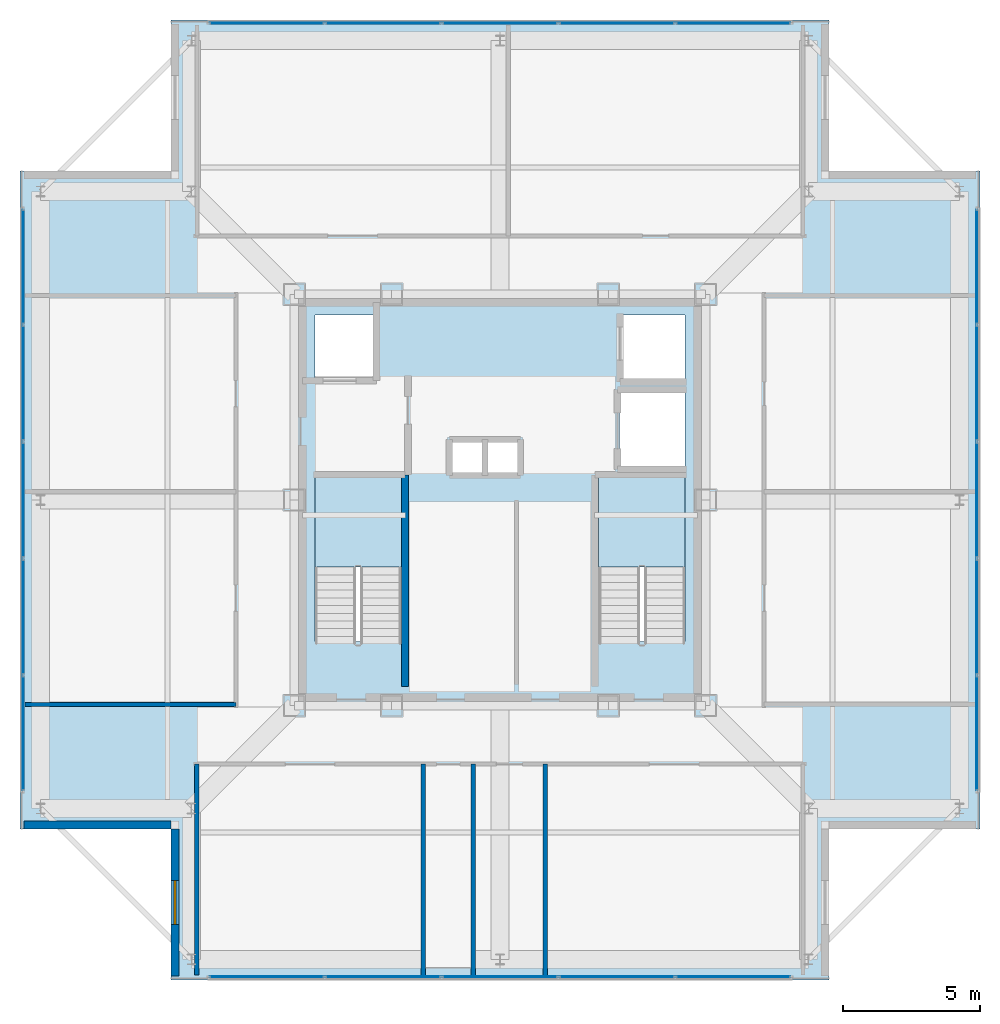
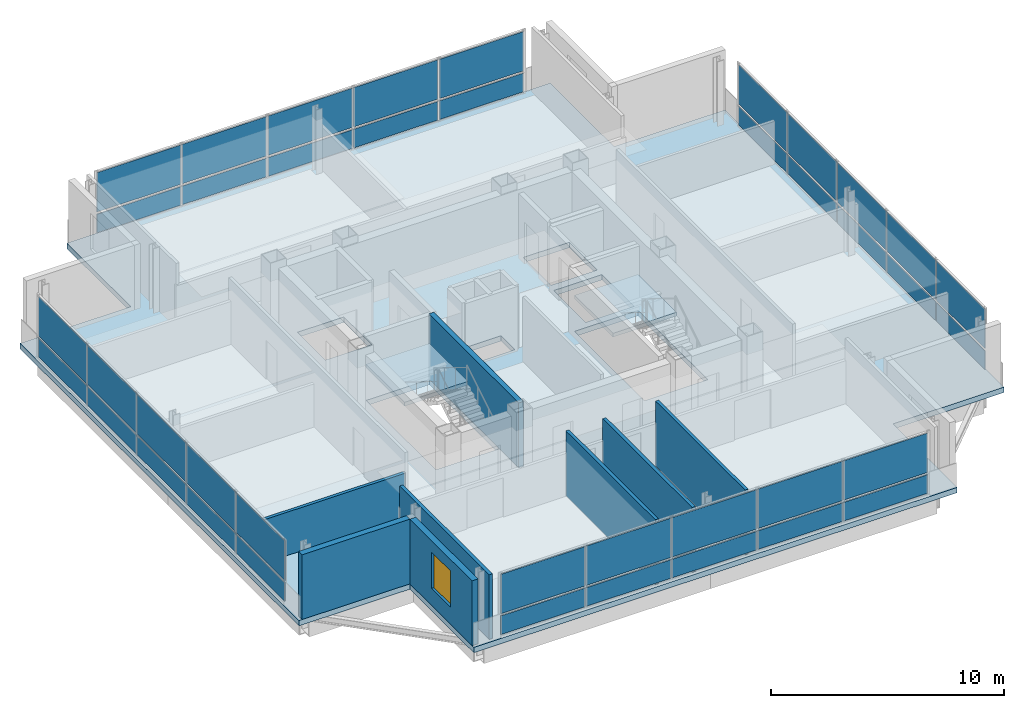
# One storey, part 8 of 12: 40 plates, 8 walls, 3 slabs, 1 window, 1 opening, 6 elements without a shape of their own.
"""IFC4 building model written with IfcOpenShell, lengths in metres."""

from ifc_helpers import new_model, si_unit, direction, frame, frame_2d, origin, origin_2d, place, context, subcontext, project, spatial, polyline, rectangle, outline, extrude, material, layer, layer_set, type_object, element, fill, aggregate, save


model = new_model("IFC4")

# Units and contexts
model_context = context("Model", 3, precision=1e-05, world=origin(), true_north=direction((0.0, 1.0)))
body_context = subcontext(model_context, "Body", "Model", "MODEL_VIEW")
ifc_project = project(units=[si_unit("LENGTHUNIT", "METRE"), si_unit("AREAUNIT", "SQUARE_METRE"), si_unit("VOLUMEUNIT", "CUBIC_METRE"), si_unit("PLANEANGLEUNIT", "RADIAN"), si_unit("MASSUNIT", "GRAM", prefix="KILO")], contexts=[model_context])

# Site, building, storey
site_placement = place(None, origin())
site = spatial("IfcSite", under=ifc_project, at=site_placement, CompositionType="ELEMENT")
building_placement = place(site_placement, origin())
building = spatial("IfcBuilding", under=site, at=building_placement, Name="Trevonay Congress Spire", CompositionType="ELEMENT")
storey_placement = place(building_placement, frame((0.0, 0.0, 304.60009765625)))
storey = spatial("IfcBuildingStorey", under=building, at=storey_placement, Name="L80", CompositionType="ELEMENT", Elevation=304.60009765625)

# Curtain wall, plates
ifc_material_1 = material(Name="Pale Anodised Aluminium EN AW-6063-T6", Category="aluminium")
ifc_layer_1 = layer(ifc_material_1, 0.159912109375, Name="Pale Anodised Aluminium EN AW-6063-T6")
ifc_layer_set_1 = layer_set([ifc_layer_1], Name="Pale Anodised Aluminium EN AW-6063-T6")
curtain_wall_type = type_object("IfcCurtainWallType", Name="CW-SYS06-CROWN-PALE-METAL", PredefinedType="NOTDEFINED", material=ifc_layer_set_1)
curtain_wall_1_placement = place(storey_placement, origin())
curtain_wall_1 = element("IfcCurtainWall", 1, at=curtain_wall_1_placement, inside=storey, type_object=curtain_wall_type, Name="L80 S unitised curtain wall", PredefinedType="NOTDEFINED")
ifc_material_2 = material(Name="Insulated Low-E Vision Glass IGU", Category="glass")
ifc_layer_2 = layer(ifc_material_2, 0.035888671875, Name="Insulated Low-E Vision Glass IGU")
ifc_layer_set_2 = layer_set([ifc_layer_2], Name="Insulated Low-E Vision Glass IGU")
plate_type = type_object("IfcPlateType", Name="CW-PANEL-IGU36-SILVER", PredefinedType="CURTAIN_PANEL", material=ifc_layer_set_2)
plate_1_placement = place(storey_placement, frame((-8.5048828125, -17.3798828125, 0.119873046875), z_axis=(0.0, 0.0, 1.0), x_axis=(1.0, 0.0, 0.0)))
plate_1 = element("IfcPlate", 2, at=plate_1_placement, type_object=plate_type, Name="CW06 panel 1.1", PredefinedType="CURTAIN_PANEL", context=body_context, shape_type="SweptSolid", body=[
    extrude(rectangle(XDim=4.169921875, YDim=0.035888671875, at=origin_2d()), origin(), (0.0, 0.0, 1.0), 0.97607421875),
])
plate_2_placement = place(storey_placement, frame((-8.5048828125, -17.3798828125, 1.2158203125), z_axis=(0.0, 0.0, 1.0), x_axis=(1.0, 0.0, 0.0)))
plate_2 = element("IfcPlate", 3, at=plate_2_placement, type_object=plate_type, Name="CW06 panel 1.2", PredefinedType="CURTAIN_PANEL", context=body_context, shape_type="SweptSolid", body=[
    extrude(rectangle(XDim=4.169921875, YDim=0.035888671875, at=origin_2d()), origin(), (0.0, 0.0, 1.0), 2.06396484375),
])
plate_3_placement = place(storey_placement, frame((-4.260009765625, -17.3798828125, 0.119873046875), z_axis=(0.0, 0.0, 1.0), x_axis=(1.0, 0.0, 0.0)))
plate_3 = element("IfcPlate", 4, at=plate_3_placement, type_object=plate_type, Name="CW06 panel 2.1", PredefinedType="CURTAIN_PANEL", context=body_context, shape_type="SweptSolid", body=[
    extrude(rectangle(XDim=4.199951171875, YDim=0.035888671875, at=origin_2d()), origin(), (0.0, 0.0, 1.0), 0.97607421875),
])
plate_4_placement = place(storey_placement, frame((-4.260009765625, -17.3798828125, 1.2158203125), z_axis=(0.0, 0.0, 1.0), x_axis=(1.0, 0.0, 0.0)))
plate_4 = element("IfcPlate", 5, at=plate_4_placement, type_object=plate_type, Name="CW06 panel 2.2", PredefinedType="CURTAIN_PANEL", context=body_context, shape_type="SweptSolid", body=[
    extrude(rectangle(XDim=4.199951171875, YDim=0.035888671875, at=origin_2d()), origin(), (0.0, 0.0, 1.0), 2.06396484375),
])
plate_5_placement = place(storey_placement, frame((0.0, -17.3798828125, 0.119873046875), z_axis=(0.0, 0.0, 1.0), x_axis=(1.0, 0.0, 0.0)))
plate_5 = element("IfcPlate", 6, at=plate_5_placement, type_object=plate_type, Name="CW06 panel 3.1", PredefinedType="CURTAIN_PANEL", context=body_context, shape_type="SweptSolid", body=[
    extrude(rectangle(XDim=4.199951171875, YDim=0.035888671875, at=origin_2d()), origin(), (0.0, 0.0, 1.0), 0.97607421875),
])
plate_6_placement = place(storey_placement, frame((0.0, -17.3798828125, 1.2158203125), z_axis=(0.0, 0.0, 1.0), x_axis=(1.0, 0.0, 0.0)))
plate_6 = element("IfcPlate", 7, at=plate_6_placement, type_object=plate_type, Name="CW06 panel 3.2", PredefinedType="CURTAIN_PANEL", context=body_context, shape_type="SweptSolid", body=[
    extrude(rectangle(XDim=4.199951171875, YDim=0.035888671875, at=origin_2d()), origin(), (0.0, 0.0, 1.0), 2.06396484375),
])
plate_7_placement = place(storey_placement, frame((4.260009765625, -17.3798828125, 0.119873046875), z_axis=(0.0, 0.0, 1.0), x_axis=(1.0, 0.0, 0.0)))
plate_7 = element("IfcPlate", 8, at=plate_7_placement, type_object=plate_type, Name="CW06 panel 4.1", PredefinedType="CURTAIN_PANEL", context=body_context, shape_type="SweptSolid", body=[
    extrude(rectangle(XDim=4.199951171875, YDim=0.035888671875, at=origin_2d()), origin(), (0.0, 0.0, 1.0), 0.97607421875),
])
plate_8_placement = place(storey_placement, frame((4.260009765625, -17.3798828125, 1.2158203125), z_axis=(0.0, 0.0, 1.0), x_axis=(1.0, 0.0, 0.0)))
plate_8 = element("IfcPlate", 9, at=plate_8_placement, type_object=plate_type, Name="CW06 panel 4.2", PredefinedType="CURTAIN_PANEL", context=body_context, shape_type="SweptSolid", body=[
    extrude(rectangle(XDim=4.199951171875, YDim=0.035888671875, at=origin_2d()), origin(), (0.0, 0.0, 1.0), 2.06396484375),
])
plate_9_placement = place(storey_placement, frame((8.5048828125, -17.3798828125, 0.119873046875), z_axis=(0.0, 0.0, 1.0), x_axis=(1.0, 0.0, 0.0)))
plate_9 = element("IfcPlate", 10, at=plate_9_placement, type_object=plate_type, Name="CW06 panel 5.1", PredefinedType="CURTAIN_PANEL", context=body_context, shape_type="SweptSolid", body=[
    extrude(rectangle(XDim=4.169921875, YDim=0.035888671875, at=origin_2d()), origin(), (0.0, 0.0, 1.0), 0.97607421875),
])
plate_10_placement = place(storey_placement, frame((8.5048828125, -17.3798828125, 1.2158203125), z_axis=(0.0, 0.0, 1.0), x_axis=(1.0, 0.0, 0.0)))
plate_10 = element("IfcPlate", 11, at=plate_10_placement, type_object=plate_type, Name="CW06 panel 5.2", PredefinedType="CURTAIN_PANEL", context=body_context, shape_type="SweptSolid", body=[
    extrude(rectangle(XDim=4.169921875, YDim=0.035888671875, at=origin_2d()), origin(), (0.0, 0.0, 1.0), 2.06396484375),
])
aggregate(curtain_wall_1, [plate_1, plate_2, plate_3, plate_4, plate_5, plate_6, plate_7, plate_8, plate_9, plate_10])

curtain_wall_2_placement = place(storey_placement, origin())
curtain_wall_2 = element("IfcCurtainWall", 12, at=curtain_wall_2_placement, inside=storey, type_object=curtain_wall_type, Name="L80 N unitised curtain wall", PredefinedType="NOTDEFINED")
plate_11_placement = place(storey_placement, frame((-8.5048828125, 17.3798828125, 0.119873046875), z_axis=(0.0, 0.0, 1.0), x_axis=(1.0, 0.0, 0.0)))
plate_11 = element("IfcPlate", 13, at=plate_11_placement, type_object=plate_type, Name="CW06 panel 1.1", PredefinedType="CURTAIN_PANEL", context=body_context, shape_type="SweptSolid", body=[
    extrude(rectangle(XDim=4.169921875, YDim=0.035888671875, at=origin_2d()), origin(), (0.0, 0.0, 1.0), 0.97607421875),
])
plate_12_placement = place(storey_placement, frame((-8.5048828125, 17.3798828125, 1.2158203125), z_axis=(0.0, 0.0, 1.0), x_axis=(1.0, 0.0, 0.0)))
plate_12 = element("IfcPlate", 14, at=plate_12_placement, type_object=plate_type, Name="CW06 panel 1.2", PredefinedType="CURTAIN_PANEL", context=body_context, shape_type="SweptSolid", body=[
    extrude(rectangle(XDim=4.169921875, YDim=0.035888671875, at=origin_2d()), origin(), (0.0, 0.0, 1.0), 2.06396484375),
])
plate_13_placement = place(storey_placement, frame((-4.260009765625, 17.3798828125, 0.119873046875), z_axis=(0.0, 0.0, 1.0), x_axis=(1.0, 0.0, 0.0)))
plate_13 = element("IfcPlate", 15, at=plate_13_placement, type_object=plate_type, Name="CW06 panel 2.1", PredefinedType="CURTAIN_PANEL", context=body_context, shape_type="SweptSolid", body=[
    extrude(rectangle(XDim=4.199951171875, YDim=0.035888671875, at=origin_2d()), origin(), (0.0, 0.0, 1.0), 0.97607421875),
])
plate_14_placement = place(storey_placement, frame((-4.260009765625, 17.3798828125, 1.2158203125), z_axis=(0.0, 0.0, 1.0), x_axis=(1.0, 0.0, 0.0)))
plate_14 = element("IfcPlate", 16, at=plate_14_placement, type_object=plate_type, Name="CW06 panel 2.2", PredefinedType="CURTAIN_PANEL", context=body_context, shape_type="SweptSolid", body=[
    extrude(rectangle(XDim=4.199951171875, YDim=0.035888671875, at=origin_2d()), origin(), (0.0, 0.0, 1.0), 2.06396484375),
])
plate_15_placement = place(storey_placement, frame((0.0, 17.3798828125, 0.119873046875), z_axis=(0.0, 0.0, 1.0), x_axis=(1.0, 0.0, 0.0)))
plate_15 = element("IfcPlate", 17, at=plate_15_placement, type_object=plate_type, Name="CW06 panel 3.1", PredefinedType="CURTAIN_PANEL", context=body_context, shape_type="SweptSolid", body=[
    extrude(rectangle(XDim=4.199951171875, YDim=0.035888671875, at=origin_2d()), origin(), (0.0, 0.0, 1.0), 0.97607421875),
])
plate_16_placement = place(storey_placement, frame((0.0, 17.3798828125, 1.2158203125), z_axis=(0.0, 0.0, 1.0), x_axis=(1.0, 0.0, 0.0)))
plate_16 = element("IfcPlate", 18, at=plate_16_placement, type_object=plate_type, Name="CW06 panel 3.2", PredefinedType="CURTAIN_PANEL", context=body_context, shape_type="SweptSolid", body=[
    extrude(rectangle(XDim=4.199951171875, YDim=0.035888671875, at=origin_2d()), origin(), (0.0, 0.0, 1.0), 2.06396484375),
])
plate_17_placement = place(storey_placement, frame((4.260009765625, 17.3798828125, 0.119873046875), z_axis=(0.0, 0.0, 1.0), x_axis=(1.0, 0.0, 0.0)))
plate_17 = element("IfcPlate", 19, at=plate_17_placement, type_object=plate_type, Name="CW06 panel 4.1", PredefinedType="CURTAIN_PANEL", context=body_context, shape_type="SweptSolid", body=[
    extrude(rectangle(XDim=4.199951171875, YDim=0.035888671875, at=origin_2d()), origin(), (0.0, 0.0, 1.0), 0.97607421875),
])
plate_18_placement = place(storey_placement, frame((4.260009765625, 17.3798828125, 1.2158203125), z_axis=(0.0, 0.0, 1.0), x_axis=(1.0, 0.0, 0.0)))
plate_18 = element("IfcPlate", 20, at=plate_18_placement, type_object=plate_type, Name="CW06 panel 4.2", PredefinedType="CURTAIN_PANEL", context=body_context, shape_type="SweptSolid", body=[
    extrude(rectangle(XDim=4.199951171875, YDim=0.035888671875, at=origin_2d()), origin(), (0.0, 0.0, 1.0), 2.06396484375),
])
plate_19_placement = place(storey_placement, frame((8.5048828125, 17.3798828125, 0.119873046875), z_axis=(0.0, 0.0, 1.0), x_axis=(1.0, 0.0, 0.0)))
plate_19 = element("IfcPlate", 21, at=plate_19_placement, type_object=plate_type, Name="CW06 panel 5.1", PredefinedType="CURTAIN_PANEL", context=body_context, shape_type="SweptSolid", body=[
    extrude(rectangle(XDim=4.169921875, YDim=0.035888671875, at=origin_2d()), origin(), (0.0, 0.0, 1.0), 0.97607421875),
])
plate_20_placement = place(storey_placement, frame((8.5048828125, 17.3798828125, 1.2158203125), z_axis=(0.0, 0.0, 1.0), x_axis=(1.0, 0.0, 0.0)))
plate_20 = element("IfcPlate", 22, at=plate_20_placement, type_object=plate_type, Name="CW06 panel 5.2", PredefinedType="CURTAIN_PANEL", context=body_context, shape_type="SweptSolid", body=[
    extrude(rectangle(XDim=4.169921875, YDim=0.035888671875, at=origin_2d()), origin(), (0.0, 0.0, 1.0), 2.06396484375),
])
aggregate(curtain_wall_2, [plate_11, plate_12, plate_13, plate_14, plate_15, plate_16, plate_17, plate_18, plate_19, plate_20])

curtain_wall_3_placement = place(storey_placement, origin())
curtain_wall_3 = element("IfcCurtainWall", 23, at=curtain_wall_3_placement, inside=storey, type_object=curtain_wall_type, Name="L80 W unitised curtain wall", PredefinedType="NOTDEFINED")
plate_21_placement = place(storey_placement, frame((-17.3798828125, -8.5048828125, 0.119873046875), z_axis=(0.0, 0.0, 1.0), x_axis=(0.0, 1.0, 0.0)))
plate_21 = element("IfcPlate", 24, at=plate_21_placement, type_object=plate_type, Name="CW06 panel 1.1", PredefinedType="CURTAIN_PANEL", context=body_context, shape_type="SweptSolid", body=[
    extrude(rectangle(XDim=4.169921875, YDim=0.035888671875, at=origin_2d()), origin(), (0.0, 0.0, 1.0), 0.97607421875),
])
plate_22_placement = place(storey_placement, frame((-17.3798828125, -8.5048828125, 1.2158203125), z_axis=(0.0, 0.0, 1.0), x_axis=(0.0, 1.0, 0.0)))
plate_22 = element("IfcPlate", 25, at=plate_22_placement, type_object=plate_type, Name="CW06 panel 1.2", PredefinedType="CURTAIN_PANEL", context=body_context, shape_type="SweptSolid", body=[
    extrude(rectangle(XDim=4.169921875, YDim=0.035888671875, at=origin_2d()), origin(), (0.0, 0.0, 1.0), 2.06396484375),
])
plate_23_placement = place(storey_placement, frame((-17.3798828125, -4.260009765625, 0.119873046875), z_axis=(0.0, 0.0, 1.0), x_axis=(0.0, 1.0, 0.0)))
plate_23 = element("IfcPlate", 26, at=plate_23_placement, type_object=plate_type, Name="CW06 panel 2.1", PredefinedType="CURTAIN_PANEL", context=body_context, shape_type="SweptSolid", body=[
    extrude(rectangle(XDim=4.199951171875, YDim=0.035888671875, at=origin_2d()), origin(), (0.0, 0.0, 1.0), 0.97607421875),
])
plate_24_placement = place(storey_placement, frame((-17.3798828125, -4.260009765625, 1.2158203125), z_axis=(0.0, 0.0, 1.0), x_axis=(0.0, 1.0, 0.0)))
plate_24 = element("IfcPlate", 27, at=plate_24_placement, type_object=plate_type, Name="CW06 panel 2.2", PredefinedType="CURTAIN_PANEL", context=body_context, shape_type="SweptSolid", body=[
    extrude(rectangle(XDim=4.199951171875, YDim=0.035888671875, at=origin_2d()), origin(), (0.0, 0.0, 1.0), 2.06396484375),
])
plate_25_placement = place(storey_placement, frame((-17.3798828125, 0.0, 0.119873046875), z_axis=(0.0, 0.0, 1.0), x_axis=(0.0, 1.0, 0.0)))
plate_25 = element("IfcPlate", 28, at=plate_25_placement, type_object=plate_type, Name="CW06 panel 3.1", PredefinedType="CURTAIN_PANEL", context=body_context, shape_type="SweptSolid", body=[
    extrude(rectangle(XDim=4.199951171875, YDim=0.035888671875, at=origin_2d()), origin(), (0.0, 0.0, 1.0), 0.97607421875),
])
plate_26_placement = place(storey_placement, frame((-17.3798828125, 0.0, 1.2158203125), z_axis=(0.0, 0.0, 1.0), x_axis=(0.0, 1.0, 0.0)))
plate_26 = element("IfcPlate", 29, at=plate_26_placement, type_object=plate_type, Name="CW06 panel 3.2", PredefinedType="CURTAIN_PANEL", context=body_context, shape_type="SweptSolid", body=[
    extrude(rectangle(XDim=4.199951171875, YDim=0.035888671875, at=origin_2d()), origin(), (0.0, 0.0, 1.0), 2.06396484375),
])
plate_27_placement = place(storey_placement, frame((-17.3798828125, 4.260009765625, 0.119873046875), z_axis=(0.0, 0.0, 1.0), x_axis=(0.0, 1.0, 0.0)))
plate_27 = element("IfcPlate", 30, at=plate_27_placement, type_object=plate_type, Name="CW06 panel 4.1", PredefinedType="CURTAIN_PANEL", context=body_context, shape_type="SweptSolid", body=[
    extrude(rectangle(XDim=4.199951171875, YDim=0.035888671875, at=origin_2d()), origin(), (0.0, 0.0, 1.0), 0.97607421875),
])
plate_28_placement = place(storey_placement, frame((-17.3798828125, 4.260009765625, 1.2158203125), z_axis=(0.0, 0.0, 1.0), x_axis=(0.0, 1.0, 0.0)))
plate_28 = element("IfcPlate", 31, at=plate_28_placement, type_object=plate_type, Name="CW06 panel 4.2", PredefinedType="CURTAIN_PANEL", context=body_context, shape_type="SweptSolid", body=[
    extrude(rectangle(XDim=4.199951171875, YDim=0.035888671875, at=origin_2d()), origin(), (0.0, 0.0, 1.0), 2.06396484375),
])
plate_29_placement = place(storey_placement, frame((-17.3798828125, 8.5048828125, 0.119873046875), z_axis=(0.0, 0.0, 1.0), x_axis=(0.0, 1.0, 0.0)))
plate_29 = element("IfcPlate", 32, at=plate_29_placement, type_object=plate_type, Name="CW06 panel 5.1", PredefinedType="CURTAIN_PANEL", context=body_context, shape_type="SweptSolid", body=[
    extrude(rectangle(XDim=4.169921875, YDim=0.035888671875, at=origin_2d()), origin(), (0.0, 0.0, 1.0), 0.97607421875),
])
plate_30_placement = place(storey_placement, frame((-17.3798828125, 8.5048828125, 1.2158203125), z_axis=(0.0, 0.0, 1.0), x_axis=(0.0, 1.0, 0.0)))
plate_30 = element("IfcPlate", 33, at=plate_30_placement, type_object=plate_type, Name="CW06 panel 5.2", PredefinedType="CURTAIN_PANEL", context=body_context, shape_type="SweptSolid", body=[
    extrude(rectangle(XDim=4.169921875, YDim=0.035888671875, at=origin_2d()), origin(), (0.0, 0.0, 1.0), 2.06396484375),
])
aggregate(curtain_wall_3, [plate_21, plate_22, plate_23, plate_24, plate_25, plate_26, plate_27, plate_28, plate_29, plate_30])

curtain_wall_4_placement = place(storey_placement, origin())
curtain_wall_4 = element("IfcCurtainWall", 34, at=curtain_wall_4_placement, inside=storey, type_object=curtain_wall_type, Name="L80 E unitised curtain wall", PredefinedType="NOTDEFINED")
plate_31_placement = place(storey_placement, frame((17.3798828125, -8.5048828125, 0.119873046875), z_axis=(0.0, 0.0, 1.0), x_axis=(0.0, 1.0, 0.0)))
plate_31 = element("IfcPlate", 35, at=plate_31_placement, type_object=plate_type, Name="CW06 panel 1.1", PredefinedType="CURTAIN_PANEL", context=body_context, shape_type="SweptSolid", body=[
    extrude(rectangle(XDim=4.169921875, YDim=0.035888671875, at=origin_2d()), origin(), (0.0, 0.0, 1.0), 0.97607421875),
])
plate_32_placement = place(storey_placement, frame((17.3798828125, -8.5048828125, 1.2158203125), z_axis=(0.0, 0.0, 1.0), x_axis=(0.0, 1.0, 0.0)))
plate_32 = element("IfcPlate", 36, at=plate_32_placement, type_object=plate_type, Name="CW06 panel 1.2", PredefinedType="CURTAIN_PANEL", context=body_context, shape_type="SweptSolid", body=[
    extrude(rectangle(XDim=4.169921875, YDim=0.035888671875, at=origin_2d()), origin(), (0.0, 0.0, 1.0), 2.06396484375),
])
plate_33_placement = place(storey_placement, frame((17.3798828125, -4.260009765625, 0.119873046875), z_axis=(0.0, 0.0, 1.0), x_axis=(0.0, 1.0, 0.0)))
plate_33 = element("IfcPlate", 37, at=plate_33_placement, type_object=plate_type, Name="CW06 panel 2.1", PredefinedType="CURTAIN_PANEL", context=body_context, shape_type="SweptSolid", body=[
    extrude(rectangle(XDim=4.199951171875, YDim=0.035888671875, at=origin_2d()), origin(), (0.0, 0.0, 1.0), 0.97607421875),
])
plate_34_placement = place(storey_placement, frame((17.3798828125, -4.260009765625, 1.2158203125), z_axis=(0.0, 0.0, 1.0), x_axis=(0.0, 1.0, 0.0)))
plate_34 = element("IfcPlate", 38, at=plate_34_placement, type_object=plate_type, Name="CW06 panel 2.2", PredefinedType="CURTAIN_PANEL", context=body_context, shape_type="SweptSolid", body=[
    extrude(rectangle(XDim=4.199951171875, YDim=0.035888671875, at=origin_2d()), origin(), (0.0, 0.0, 1.0), 2.06396484375),
])
plate_35_placement = place(storey_placement, frame((17.3798828125, 0.0, 0.119873046875), z_axis=(0.0, 0.0, 1.0), x_axis=(0.0, 1.0, 0.0)))
plate_35 = element("IfcPlate", 39, at=plate_35_placement, type_object=plate_type, Name="CW06 panel 3.1", PredefinedType="CURTAIN_PANEL", context=body_context, shape_type="SweptSolid", body=[
    extrude(rectangle(XDim=4.199951171875, YDim=0.035888671875, at=origin_2d()), origin(), (0.0, 0.0, 1.0), 0.97607421875),
])
plate_36_placement = place(storey_placement, frame((17.3798828125, 0.0, 1.2158203125), z_axis=(0.0, 0.0, 1.0), x_axis=(0.0, 1.0, 0.0)))
plate_36 = element("IfcPlate", 40, at=plate_36_placement, type_object=plate_type, Name="CW06 panel 3.2", PredefinedType="CURTAIN_PANEL", context=body_context, shape_type="SweptSolid", body=[
    extrude(rectangle(XDim=4.199951171875, YDim=0.035888671875, at=origin_2d()), origin(), (0.0, 0.0, 1.0), 2.06396484375),
])
plate_37_placement = place(storey_placement, frame((17.3798828125, 4.260009765625, 0.119873046875), z_axis=(0.0, 0.0, 1.0), x_axis=(0.0, 1.0, 0.0)))
plate_37 = element("IfcPlate", 41, at=plate_37_placement, type_object=plate_type, Name="CW06 panel 4.1", PredefinedType="CURTAIN_PANEL", context=body_context, shape_type="SweptSolid", body=[
    extrude(rectangle(XDim=4.199951171875, YDim=0.035888671875, at=origin_2d()), origin(), (0.0, 0.0, 1.0), 0.97607421875),
])
plate_38_placement = place(storey_placement, frame((17.3798828125, 4.260009765625, 1.2158203125), z_axis=(0.0, 0.0, 1.0), x_axis=(0.0, 1.0, 0.0)))
plate_38 = element("IfcPlate", 42, at=plate_38_placement, type_object=plate_type, Name="CW06 panel 4.2", PredefinedType="CURTAIN_PANEL", context=body_context, shape_type="SweptSolid", body=[
    extrude(rectangle(XDim=4.199951171875, YDim=0.035888671875, at=origin_2d()), origin(), (0.0, 0.0, 1.0), 2.06396484375),
])
plate_39_placement = place(storey_placement, frame((17.3798828125, 8.5048828125, 0.119873046875), z_axis=(0.0, 0.0, 1.0), x_axis=(0.0, 1.0, 0.0)))
plate_39 = element("IfcPlate", 43, at=plate_39_placement, type_object=plate_type, Name="CW06 panel 5.1", PredefinedType="CURTAIN_PANEL", context=body_context, shape_type="SweptSolid", body=[
    extrude(rectangle(XDim=4.169921875, YDim=0.035888671875, at=origin_2d()), origin(), (0.0, 0.0, 1.0), 0.97607421875),
])
plate_40_placement = place(storey_placement, frame((17.3798828125, 8.5048828125, 1.2158203125), z_axis=(0.0, 0.0, 1.0), x_axis=(0.0, 1.0, 0.0)))
plate_40 = element("IfcPlate", 44, at=plate_40_placement, type_object=plate_type, Name="CW06 panel 5.2", PredefinedType="CURTAIN_PANEL", context=body_context, shape_type="SweptSolid", body=[
    extrude(rectangle(XDim=4.169921875, YDim=0.035888671875, at=origin_2d()), origin(), (0.0, 0.0, 1.0), 2.06396484375),
])
aggregate(curtain_wall_4, [plate_31, plate_32, plate_33, plate_34, plate_35, plate_36, plate_37, plate_38, plate_39, plate_40])

# Slab
ifc_material_3 = material(Name="Concrete C40/50", Category="concrete")
ifc_layer_3 = layer(ifc_material_3, 0.280029296875, Name="Concrete C40/50")
ifc_layer_set_3 = layer_set([ifc_layer_3], Name="Concrete C40/50")
slab_type_1 = type_object("IfcSlabType", Name="SLB-CROWN-280", PredefinedType="FLOOR", material=ifc_layer_set_3)
slab_1_placement = place(storey_placement, frame((0.0, 0.0, -0.280029296875)))
element("IfcSlab", 45, at=slab_1_placement, inside=storey, type_object=slab_type_1, Name="L80 structural floor slab", PredefinedType="FLOOR", context=body_context, shape_type="SweptSolid", body=[
    extrude(outline(polyline([(-12.0, -17.5), (12.0, -17.5), (12.0, -12.0), (17.5, -12.0), (17.5, 12.0), (12.0, 12.0), (12.0, 17.5), (-12.0, 17.5), (-12.0, 12.0), (-17.5, 12.0), (-17.5, -12.0), (-12.0, -12.0), (-12.0, -17.5)]), holes=[polyline([(-3.60009765625, -5.14990234375), (-3.60009765625, 0.85009765625), (-6.75, 0.85009765625), (-6.75, -5.14990234375), (-3.60009765625, -5.14990234375)]), polyline([(6.75, -5.14990234375), (6.75, 0.85009765625), (3.60009765625, 0.85009765625), (3.60009765625, -5.14990234375), (6.75, -5.14990234375)]), polyline([(-6.75, 4.35009765625), (-4.449951171875, 4.35009765625), (-4.449951171875, 6.75), (-6.75, 6.75), (-6.75, 4.35009765625)]), polyline([(4.449951171875, 4.35009765625), (6.75, 4.35009765625), (6.75, 6.75), (4.449951171875, 6.75), (4.449951171875, 4.35009765625)]), polyline([(4.35009765625, 1.199951171875), (6.75, 1.199951171875), (6.75, 3.949951171875), (4.35009765625, 3.949951171875), (4.35009765625, 1.199951171875)]), polyline([(-1.800048828125, 0.949951171875), (0.699951171875, 0.949951171875), (0.699951171875, 2.14990234375), (-1.800048828125, 2.14990234375), (-1.800048828125, 0.949951171875)])]), origin(), (0.0, 0.0, 1.0), 0.280029296875),
])

# Stair, slab
stair_type_1 = type_object("IfcStairType", Name="STR-ST-1", PredefinedType="HALF_TURN_STAIR", material=ifc_material_3)
stair_1_placement = place(storey_placement, origin())
stair_1 = element("IfcStair", 46, at=stair_1_placement, inside=storey, type_object=stair_type_1, Name="L80 Protected Exit Stair ST-1", PredefinedType="HALF_TURN_STAIR")
ifc_layer_4 = layer(ifc_material_3, 0.199951171875, Name="Concrete C40/50")
ifc_layer_set_4 = layer_set([ifc_layer_4], Name="Concrete C40/50")
slab_type_2 = type_object("IfcSlabType", Name="SLB-STAIR-LAND-200", PredefinedType="LANDING", material=ifc_layer_set_4)
slab_2_placement = place(storey_placement, frame((0.0, 0.0, 1.699951171875)))
slab_2 = element("IfcSlab", 47, at=slab_2_placement, type_object=slab_type_2, Name="ST-1 landing 1", PredefinedType="LANDING", context=body_context, shape_type="SweptSolid", body=[
    extrude(outline(polyline([(-3.60009765625, -2.449951171875), (-3.60009765625, 0.85009765625), (-6.75, 0.85009765625), (-6.75, -2.449951171875), (-3.60009765625, -2.449951171875)])), origin(), (0.0, 0.0, 1.0), 0.199951171875),
])
aggregate(stair_1, [slab_2])

stair_type_2 = type_object("IfcStairType", Name="STR-ST-2", PredefinedType="HALF_TURN_STAIR", material=ifc_material_3)
stair_2_placement = place(storey_placement, origin())
stair_2 = element("IfcStair", 48, at=stair_2_placement, inside=storey, type_object=stair_type_2, Name="L80 Protected Exit Stair ST-2", PredefinedType="HALF_TURN_STAIR")
slab_3_placement = place(storey_placement, frame((0.0, 0.0, 1.699951171875)))
slab_3 = element("IfcSlab", 49, at=slab_3_placement, type_object=slab_type_2, Name="ST-2 landing 1", PredefinedType="LANDING", context=body_context, shape_type="SweptSolid", body=[
    extrude(outline(polyline([(6.75, -2.449951171875), (6.75, 0.85009765625), (3.60009765625, 0.85009765625), (3.60009765625, -2.449951171875), (6.75, -2.449951171875)])), origin(), (0.0, 0.0, 1.0), 0.199951171875),
])
aggregate(stair_2, [slab_3])

# Wall, opening, window
ifc_material_4 = material(Name="Precast concrete C40/50", Category="concrete")
ifc_layer_5 = layer(ifc_material_4, 0.300048828125, Name="Precast concrete C40/50")
ifc_layer_set_5 = layer_set([ifc_layer_5], Name="Precast concrete C40/50")
wall_type_1 = type_object("IfcWallType", Name="WAL-EXT-PRECAST-300", PredefinedType="SOLIDWALL", material=ifc_layer_set_5)
wall_1_placement = place(storey_placement, frame((-11.85009765625, -17.35009765625, 0.0), z_axis=(0.0, 0.0, 1.0), x_axis=(0.0, 1.0, 0.0)))
wall_1 = element("IfcWall", 50, at=wall_1_placement, inside=storey, type_object=wall_type_1, Name="L80 SW re-entrant notch exterior wall 1", PredefinedType="SOLIDWALL", context=body_context, shape_type="SweptSolid", body=[
    extrude(rectangle(XDim=5.35009765625, YDim=0.300048828125, at=frame_2d((2.675048828125, 0.0))), origin(), (0.0, 0.0, 1.0), 3.39990234375),
])
opening_placement = place(wall_1_placement, frame((1.875, 0.0, 0.89990234375)))
opening = element("IfcOpeningElement", 51, at=opening_placement, cuts=wall_1, Name="Opening WN04", PredefinedType="OPENING", context=body_context, shape_type="SweptSolid", body=[
    extrude(rectangle(XDim=1.60009765625, YDim=1.89990234375, at=frame_2d((0.800048828125, 0.949951171875))), frame((0.0, 0.16015625, 0.0), z_axis=(0.0, -1.0, 0.0), x_axis=(1.0, 0.0, 0.0)), (0.0, 0.0, 1.0), 0.320068359375),
])
window_type = type_object("IfcWindowType", Name="WIN-CROWN-160X190", PartitioningType="SINGLE_PANEL", PredefinedType="WINDOW", material=ifc_material_2)
window_placement = place(opening_placement, origin())
window = element("IfcWindow", 52, at=window_placement, inside=storey, type_object=window_type, Name="L80 SW corner notch window", OverallHeight=1.89990234375, OverallWidth=1.60009765625, PartitioningType="SINGLE_PANEL", PredefinedType="WINDOW", context=body_context, shape_type="SweptSolid", body=[
    extrude(rectangle(XDim=1.60009765625, YDim=1.89990234375, at=frame_2d((0.800048828125, 0.949951171875))), frame((0.0, 0.030029296875, 0.0), z_axis=(0.0, -1.0, 0.0), x_axis=(1.0, 0.0, 0.0)), (0.0, 0.0, 1.0), 0.06005859375),
])
fill(opening, window)

# Walls
wall_2_placement = place(storey_placement, frame((-17.35009765625, -11.85009765625, 0.0), z_axis=(0.0, 0.0, 1.0), x_axis=(1.0, 0.0, 0.0)))
element("IfcWall", 53, at=wall_2_placement, inside=storey, type_object=wall_type_1, Name="L80 SW re-entrant notch exterior wall 2", PredefinedType="SOLIDWALL", context=body_context, shape_type="SweptSolid", body=[
    extrude(rectangle(XDim=5.35009765625, YDim=0.300048828125, at=frame_2d((2.675048828125, 0.0))), origin(), (0.0, 0.0, 1.0), 3.39990234375),
])
ifc_layer_6 = layer(ifc_material_3, 0.14990234375, Name="Concrete C40/50")
ifc_layer_set_6 = layer_set([ifc_layer_6], Name="Concrete C40/50")
wall_type_2 = type_object("IfcWallType", Name="WAL-PART-150", PredefinedType="PARTITIONING", material=ifc_layer_set_6)
wall_3_placement = place(storey_placement, frame((1.64990234375, -17.320068359375, 0.0), z_axis=(0.0, 0.0, 1.0), x_axis=(0.0, 1.0, 0.0)))
element("IfcWall", 54, at=wall_3_placement, inside=storey, type_object=wall_type_2, Name="L80 interior wall WP-L80S-DIV3", PredefinedType="PARTITIONING", context=body_context, shape_type="SweptSolid", body=[
    extrude(rectangle(XDim=7.699951171875, YDim=0.14990234375, at=frame_2d((3.85009765625, 0.0))), origin(), (0.0, 0.0, 1.0), 3.39990234375),
])
wall_4_placement = place(storey_placement, frame((-17.320068359375, -7.449951171875, 0.0), z_axis=(0.0, 0.0, 1.0), x_axis=(1.0, 0.0, 0.0)))
element("IfcWall", 55, at=wall_4_placement, inside=storey, type_object=wall_type_2, Name="L80 interior wall WP-L80W-DIV1", PredefinedType="PARTITIONING", context=body_context, shape_type="SweptSolid", body=[
    extrude(rectangle(XDim=7.699951171875, YDim=0.14990234375, at=frame_2d((3.85009765625, 0.0))), origin(), (0.0, 0.0, 1.0), 2.27490234375),
])
ifc_layer_7 = layer(ifc_material_3, 0.25, Name="Concrete C40/50")
ifc_layer_set_7 = layer_set([ifc_layer_7], Name="Concrete C40/50")
wall_type_3 = type_object("IfcWallType", Name="WAL-SHAFT-LB-250", PredefinedType="SHEAR", material=ifc_layer_set_7)
wall_5_placement = place(storey_placement, frame((-3.469970703125, -6.800048828125, 0.0), z_axis=(0.0, 0.0, 1.0), x_axis=(0.0, 1.0, 0.0)))
element("IfcWall", 56, at=wall_5_placement, inside=storey, type_object=wall_type_3, Name="L80 interior shaft wall WSH-L80-ST1-E", PredefinedType="SHEAR", context=body_context, shape_type="SweptSolid", body=[
    extrude(rectangle(XDim=7.719970703125, YDim=0.25, at=frame_2d((3.85986328125, 0.0))), origin(), (0.0, 0.0, 1.0), 3.39990234375),
])
ifc_layer_8 = layer(ifc_material_3, 0.1650390625, Name="Concrete C40/50")
ifc_layer_set_8 = layer_set([ifc_layer_8], Name="Concrete C40/50")
wall_type_4 = type_object("IfcWallType", Name="WAL-WET-165", PredefinedType="PLUMBINGWALL", material=ifc_layer_set_8)
for number, where, z_axis, x_axis, name in (
    (57, (-0.969970703125, -17.320068359375, 0.0), (0.0, 0.0, 1.0), (0.0, 1.0, 0.0), "L80 interior wall WP-L80S-WCS2"),
    (58, (-11.050048828125, -17.320068359375, 0.0), (0.0, 0.0, 1.0), (0.0, 1.0, 0.0), "L80 interior wall WP-L80S-DIV1"),
    (59, (-2.800048828125, -17.320068359375, 0.0), (0.0, 0.0, 1.0), (0.0, 1.0, 0.0), "L80 interior wall WP-L80S-DIV2"),
):
    element("IfcWall", number, at=place(storey_placement, frame(where, z_axis=z_axis, x_axis=x_axis)), inside=storey, type_object=wall_type_4, Name=name, PredefinedType="PLUMBINGWALL", context=body_context, shape_type="SweptSolid", body=[
        extrude(rectangle(XDim=7.699951171875, YDim=0.1650390625, at=frame_2d((3.85009765625, 0.0))), origin(), (0.0, 0.0, 1.0), 3.39990234375),
    ])

save(model, "model.ifc")
